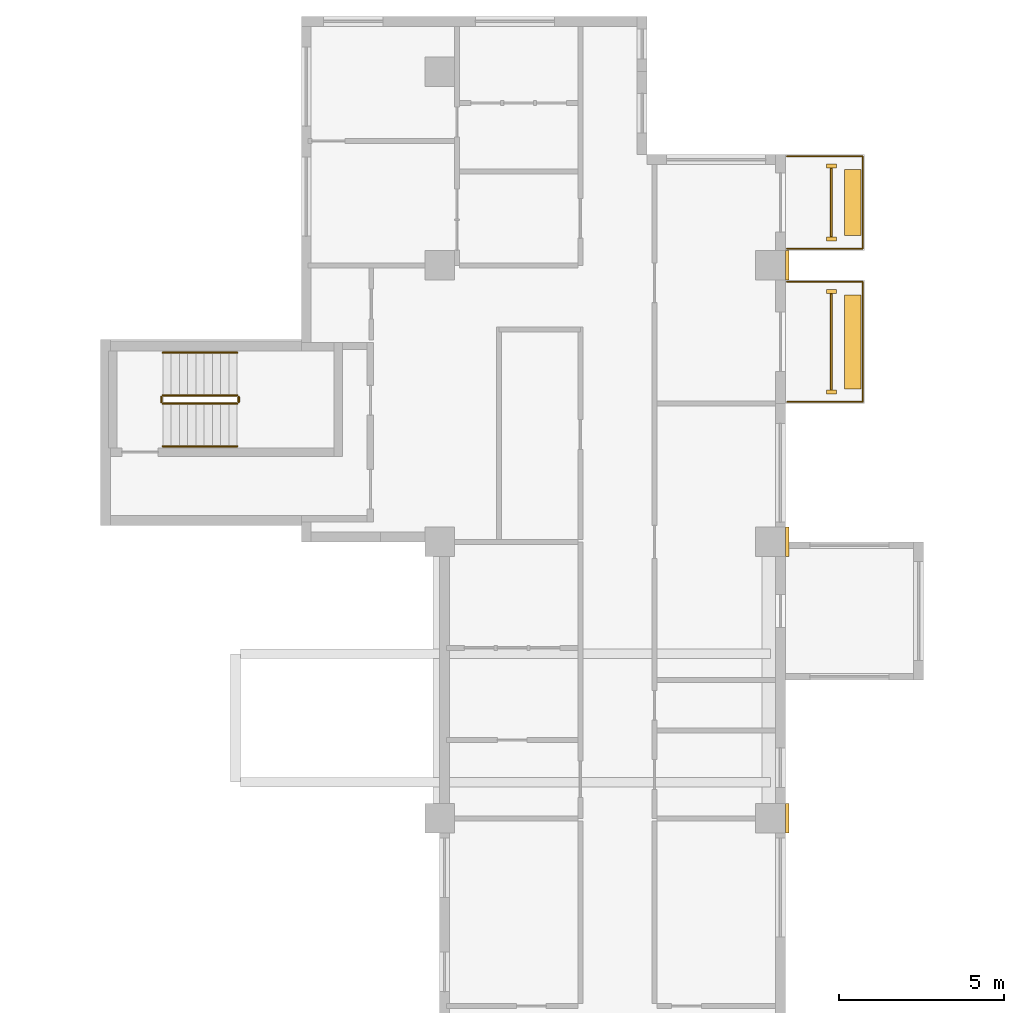
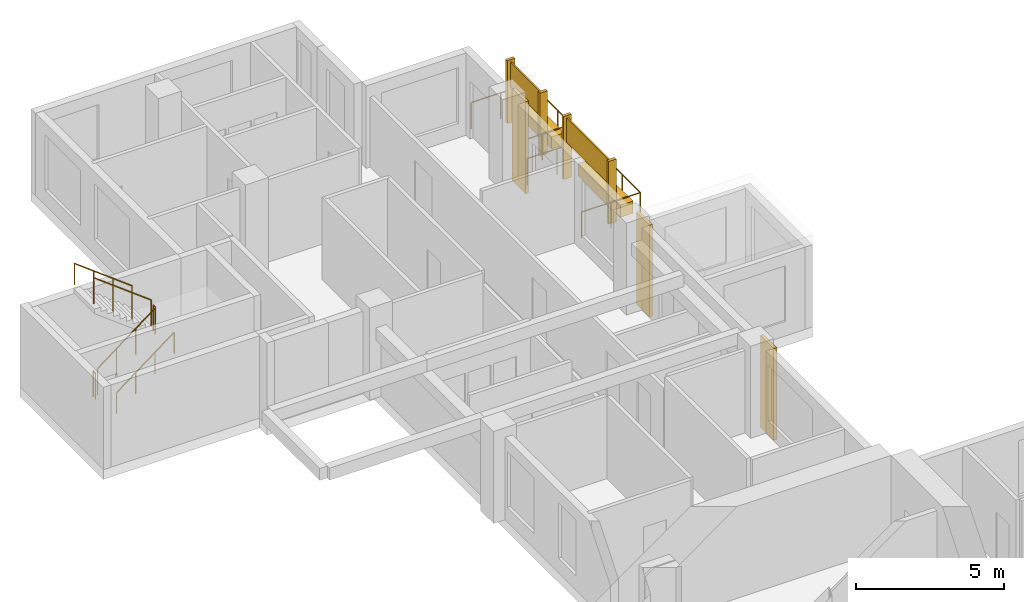
# One storey, part 13 of 13: 11 coverings, 8 railings.
"""IFC4 building model written with IfcOpenShell, lengths in metres."""

from ifc_helpers import new_model, si_unit, direction, frame, origin, origin_2d, place, context, subcontext, project, spatial, rectangle, circle, extrude, source, transform, mapped, material, type_object, element, save


model = new_model("IFC4")

# Units and contexts
model_context = context("Model", 3, precision=1e-05, world=origin(), true_north=direction((0.0, 1.0)))
body_context = subcontext(model_context, "Body", "Model", "MODEL_VIEW")
ifc_project = project(units=[si_unit("LENGTHUNIT", "METRE"), si_unit("AREAUNIT", "SQUARE_METRE"), si_unit("VOLUMEUNIT", "CUBIC_METRE"), si_unit("PLANEANGLEUNIT", "RADIAN"), si_unit("MASSUNIT", "GRAM", prefix="KILO")], contexts=[model_context])

# Site, building, storey
site_placement = place(None, origin())
site = spatial("IfcSite", under=ifc_project, at=site_placement, CompositionType="ELEMENT")
building_placement = place(site_placement, origin())
building = spatial("IfcBuilding", under=site, at=building_placement, Name="Aurelian Terraces", CompositionType="ELEMENT")
storey_placement = place(building_placement, frame((0.0, 0.0, 193.0)))
storey = spatial("IfcBuildingStorey", under=building, at=storey_placement, Name="L42", CompositionType="ELEMENT", Elevation=193.0)

# Coverings
ifc_material_1 = material(Name="Terracotta rainscreen cladding relief", Category="masonry")
covering_type_1 = type_object("IfcCoveringType", Name="FIN-TC", PredefinedType="CLADDING", material=ifc_material_1)
shared_shape_1 = source(origin(), body_context, "Body", "SweptSolid", [
    extrude(rectangle(XDim=0.3, YDim=0.12, at=origin_2d()), origin(), (0.0, 0.0, 1.0), 2.6),
])
for number, where, z_axis, x_axis, name in (
    (1, (22.4, 42.35, 0.0), (0.0, 0.0, 1.0), (1.0, 0.0, 0.0), "FIN L42 L42-F08-22.1"),
    (2, (22.4, 45.4, 0.0), (0.0, 0.0, 1.0), (1.0, 0.0, 0.0), "FIN L42 L42-F08-22.2"),
    (3, (22.4, 47.0, 0.0), (0.0, 0.0, 1.0), (1.0, 0.0, 0.0), "FIN L42 L42-F08-23.1"),
    (4, (22.4, 49.21, 0.0), (0.0, 0.0, 1.0), (1.0, 0.0, 0.0), "FIN L42 L42-F08-23.2"),
):
    element("IfcCovering", number, at=place(storey_placement, frame(where, z_axis=z_axis, x_axis=x_axis)), inside=storey, type_object=covering_type_1, Name=name, PredefinedType="CLADDING", context=body_context, shape_type="MappedRepresentation", body=[
        mapped(shared_shape_1, transform((0.0, 0.0, 0.0), scale=1.0)),
    ])
covering_type_2 = type_object("IfcCoveringType", Name="BAGUETTE-TC", PredefinedType="CLADDING", material=ifc_material_1)
shared_shape_2 = source(origin(), body_context, "Body", "SweptSolid", [
    extrude(rectangle(XDim=0.12, YDim=0.9, at=origin_2d()), origin(), (0.0, 0.0, 1.0), 3.8),
])
for number, where, z_axis, x_axis, name in (
    (5, (21.06, 29.4, -0.4), (0.0, 0.0, 1.0), (1.0, 0.0, 0.0), "BAGUETTE pier L42 7"),
    (6, (21.06, 37.8, -0.4), (0.0, 0.0, 1.0), (1.0, 0.0, 0.0), "BAGUETTE pier L42 8"),
    (7, (21.06, 46.2, -0.4), (0.0, 0.0, 1.0), (1.0, 0.0, 0.0), "BAGUETTE pier L42 9"),
):
    element("IfcCovering", number, at=place(storey_placement, frame(where, z_axis=z_axis, x_axis=x_axis)), inside=storey, type_object=covering_type_2, Name=name, PredefinedType="CLADDING", context=body_context, shape_type="MappedRepresentation", body=[
        mapped(shared_shape_2, transform((0.0, 0.0, 0.0), scale=1.0)),
    ])

# Railing
ifc_material_2 = material(Name="Anodised aluminium", Category="aluminium")
railing_type_1 = type_object("IfcRailingType", Name="GUARD-1100", PredefinedType="GUARDRAIL", material=ifc_material_2)
shared_shape_3 = source(origin(), body_context, "Body", "SweptSolid", [
    extrude(circle(Radius=0.024, at=origin_2d()), frame((0.0, 0.0, 1.076), z_axis=(1.0, 0.0, 0.0), x_axis=(0.0, 1.0, 0.0)), (0.0, 0.0, 1.0), 2.3),
    extrude(circle(Radius=0.024, at=origin_2d()), frame((2.3, 0.0, 1.076), z_axis=(0.0, 1.0, 0.0), x_axis=(-1.0, 0.0, 0.0)), (0.0, 0.0, 1.0), 3.65),
    extrude(circle(Radius=0.024, at=origin_2d()), frame((2.3, 3.65, 1.076), z_axis=(-1.0, 0.0, 0.0), x_axis=(0.0, -1.0, 0.0)), (0.0, 0.0, 1.0), 2.3),
    extrude(circle(Radius=0.021, at=origin_2d()), origin(), (0.0, 0.0, 1.0), 1.052),
    extrude(circle(Radius=0.021, at=origin_2d()), frame((1.15, 0.0, 0.0)), (0.0, 0.0, 1.0), 1.052),
    extrude(circle(Radius=0.021, at=origin_2d()), frame((2.3, 0.0, 0.0)), (0.0, 0.0, 1.0), 1.052),
    extrude(circle(Radius=0.021, at=origin_2d()), frame((2.3, 1.2167, 0.0)), (0.0, 0.0, 1.0), 1.052),
    extrude(circle(Radius=0.021, at=origin_2d()), frame((2.3, 2.4333, 0.0)), (0.0, 0.0, 1.0), 1.052),
    extrude(circle(Radius=0.021, at=origin_2d()), frame((2.3, 3.65, 0.0)), (0.0, 0.0, 1.0), 1.052),
    extrude(circle(Radius=0.021, at=origin_2d()), frame((1.15, 3.65, 0.0)), (0.0, 0.0, 1.0), 1.052),
    extrude(circle(Radius=0.021, at=origin_2d()), frame((0.0, 3.65, 0.0)), (0.0, 0.0, 1.0), 1.052),
])
railing_1_placement = place(storey_placement, frame((21.05, 42.05, 0.0)))
element("IfcRailing", 8, at=railing_1_placement, inside=storey, type_object=railing_type_1, Name="Balcony guard L42 F08.22", PredefinedType="GUARDRAIL", context=body_context, shape_type="MappedRepresentation", body=[
    mapped(shared_shape_3, transform((0.0, 0.0, 0.0), scale=1.0)),
])

# Coverings
ifc_material_3 = material(Name="Terracotta planter with planting soil", Category="masonry")
covering_type_3 = type_object("IfcCoveringType", Name="PLANTER-TROUGH", PredefinedType="USERDEFINED", material=ifc_material_3)
shared_shape_4 = source(origin(), body_context, "Body", "SweptSolid", [
    extrude(rectangle(XDim=0.5, YDim=2.85, at=origin_2d()), origin(), (0.0, 0.0, 1.0), 0.5),
])
covering_1_placement = place(storey_placement, frame((23.05, 43.875, 0.0), z_axis=(0.0, 0.0, 1.0), x_axis=(1.0, 0.0, 0.0)))
element("IfcCovering", 9, at=covering_1_placement, inside=storey, type_object=covering_type_3, Name="PLANTER L42 L42-F08-22", ObjectType="PLANTER", PredefinedType="USERDEFINED", context=body_context, shape_type="MappedRepresentation", body=[
    mapped(shared_shape_4, transform((0.0, 0.0, 0.0), scale=1.0)),
])
ifc_material_4 = material(Name="Terracotta rainscreen cladding", Category="masonry")
covering_type_4 = type_object("IfcCoveringType", Name="SCREEN-TC", PredefinedType="CLADDING", material=ifc_material_4)
shared_shape_5 = source(origin(), body_context, "Body", "SweptSolid", [
    extrude(rectangle(XDim=0.06, YDim=2.93, at=origin_2d()), origin(), (0.0, 0.0, 1.0), 1.0),
])
covering_2_placement = place(storey_placement, frame((22.4, 43.875, 1.5), z_axis=(0.0, 0.0, 1.0), x_axis=(1.0, 0.0, 0.0)))
element("IfcCovering", 10, at=covering_2_placement, inside=storey, type_object=covering_type_4, Name="SCREEN L42 L42-F08-22", PredefinedType="CLADDING", context=body_context, shape_type="MappedRepresentation", body=[
    mapped(shared_shape_5, transform((0.0, 0.0, 0.0), scale=1.0)),
])

# Railing
shared_shape_6 = source(origin(), body_context, "Body", "SweptSolid", [
    extrude(circle(Radius=0.024, at=origin_2d()), frame((0.0, 0.0, 1.076), z_axis=(1.0, 0.0, 0.0), x_axis=(0.0, 1.0, 0.0)), (0.0, 0.0, 1.0), 2.3),
    extrude(circle(Radius=0.024, at=origin_2d()), frame((2.3, 0.0, 1.076), z_axis=(0.0, 1.0, 0.0), x_axis=(-1.0, 0.0, 0.0)), (0.0, 0.0, 1.0), 2.81),
    extrude(circle(Radius=0.024, at=origin_2d()), frame((2.3, 2.81, 1.076), z_axis=(-1.0, 0.0, 0.0), x_axis=(0.0, -1.0, 0.0)), (0.0, 0.0, 1.0), 2.3),
    extrude(circle(Radius=0.021, at=origin_2d()), origin(), (0.0, 0.0, 1.0), 1.052),
    extrude(circle(Radius=0.021, at=origin_2d()), frame((1.15, 0.0, 0.0)), (0.0, 0.0, 1.0), 1.052),
    extrude(circle(Radius=0.021, at=origin_2d()), frame((2.3, 0.0, 0.0)), (0.0, 0.0, 1.0), 1.052),
    extrude(circle(Radius=0.021, at=origin_2d()), frame((2.3, 0.9367, 0.0)), (0.0, 0.0, 1.0), 1.052),
    extrude(circle(Radius=0.021, at=origin_2d()), frame((2.3, 1.8733, 0.0)), (0.0, 0.0, 1.0), 1.052),
    extrude(circle(Radius=0.021, at=origin_2d()), frame((2.3, 2.81, 0.0)), (0.0, 0.0, 1.0), 1.052),
    extrude(circle(Radius=0.021, at=origin_2d()), frame((1.15, 2.81, 0.0)), (0.0, 0.0, 1.0), 1.052),
    extrude(circle(Radius=0.021, at=origin_2d()), frame((0.0, 2.81, 0.0)), (0.0, 0.0, 1.0), 1.052),
])
railing_2_placement = place(storey_placement, frame((21.05, 46.7, 0.0)))
element("IfcRailing", 11, at=railing_2_placement, inside=storey, type_object=railing_type_1, Name="Balcony guard L42 F08.23", PredefinedType="GUARDRAIL", context=body_context, shape_type="MappedRepresentation", body=[
    mapped(shared_shape_6, transform((0.0, 0.0, 0.0), scale=1.0)),
])

# Coverings
shared_shape_7 = source(origin(), body_context, "Body", "SweptSolid", [
    extrude(rectangle(XDim=0.5, YDim=2.01, at=origin_2d()), origin(), (0.0, 0.0, 1.0), 0.5),
])
covering_3_placement = place(storey_placement, frame((23.05, 48.105, 0.0), z_axis=(0.0, 0.0, 1.0), x_axis=(1.0, 0.0, 0.0)))
element("IfcCovering", 12, at=covering_3_placement, inside=storey, type_object=covering_type_3, Name="PLANTER L42 L42-F08-23", ObjectType="PLANTER", PredefinedType="USERDEFINED", context=body_context, shape_type="MappedRepresentation", body=[
    mapped(shared_shape_7, transform((0.0, 0.0, 0.0), scale=1.0)),
])
shared_shape_8 = source(origin(), body_context, "Body", "SweptSolid", [
    extrude(rectangle(XDim=0.06, YDim=2.09, at=origin_2d()), origin(), (0.0, 0.0, 1.0), 1.0),
])
covering_4_placement = place(storey_placement, frame((22.4, 48.105, 1.5), z_axis=(0.0, 0.0, 1.0), x_axis=(1.0, 0.0, 0.0)))
element("IfcCovering", 13, at=covering_4_placement, inside=storey, type_object=covering_type_4, Name="SCREEN L42 L42-F08-23", PredefinedType="CLADDING", context=body_context, shape_type="MappedRepresentation", body=[
    mapped(shared_shape_8, transform((0.0, 0.0, 0.0), scale=1.0)),
])

# Railings
ifc_material_5 = material(Name="Stainless steel", Category="steel")
railing_type_2 = type_object("IfcRailingType", Name="Stair guard 1100", PredefinedType="GUARDRAIL", material=ifc_material_5)
shared_shape_9 = source(origin(), body_context, "Body", "SweptSolid", [
    extrude(circle(Radius=0.024, at=origin_2d()), frame((0.0, 0.0, 1.076), z_axis=(0.0, 1.0, 0.0), x_axis=(-1.0, 0.0, 0.0)), (0.0, 0.0, 1.0), 0.15),
    extrude(circle(Radius=0.021, at=origin_2d()), origin(), (0.0, 0.0, 1.0), 1.052),
    extrude(circle(Radius=0.021, at=origin_2d()), frame((0.0, 0.15, 0.0)), (0.0, 0.0, 1.0), 1.052),
])
for number, where, name in (
    (14, (4.4, 42.05, 1.9), "L42 S3 stair guard 2"),
    (15, (2.05, 42.05, 0.0), "L42 S3 stair guard 4"),
):
    element("IfcRailing", number, at=place(storey_placement, frame(where)), inside=storey, type_object=railing_type_2, Name=name, PredefinedType="GUARDRAIL", context=body_context, shape_type="MappedRepresentation", body=[
        mapped(shared_shape_9, transform((0.0, 0.0, 0.0), scale=1.0)),
    ])
shared_shape_10 = source(origin(), body_context, "Body", "SweptSolid", [
    extrude(circle(Radius=0.024, at=origin_2d()), frame((0.0, 0.0, 1.076), z_axis=(0.796162194123, 0.0, 0.605083267534), x_axis=(0.0, 1.0, 0.0)), (0.0, 0.0, 1.0), 2.8261),
    extrude(circle(Radius=0.021, at=origin_2d()), origin(), (0.0, 0.0, 1.0), 1.052),
    extrude(circle(Radius=0.021, at=origin_2d()), frame((0.75, 0.0, 0.57)), (0.0, 0.0, 1.0), 1.052),
    extrude(circle(Radius=0.021, at=origin_2d()), frame((1.5, 0.0, 1.14)), (0.0, 0.0, 1.0), 1.052),
    extrude(circle(Radius=0.021, at=origin_2d()), frame((2.25, 0.0, 1.71)), (0.0, 0.0, 1.0), 1.052),
])
railing_3_placement = place(storey_placement, frame((2.1, 42.0, 0.19)))
element("IfcRailing", 16, at=railing_3_placement, inside=storey, type_object=railing_type_2, Name="L42 S3 stair guard 1", PredefinedType="GUARDRAIL", context=body_context, shape_type="MappedRepresentation", body=[
    mapped(shared_shape_10, transform((0.0, 0.0, 0.0), scale=1.0)),
])
shared_shape_11 = source(origin(), body_context, "Body", "SweptSolid", [
    extrude(circle(Radius=0.024, at=origin_2d()), frame((0.0, 0.0, 1.076), z_axis=(-0.796162194123, 0.0, 0.605083267534), x_axis=(0.0, -1.0, 0.0)), (0.0, 0.0, 1.0), 2.8261),
    extrude(circle(Radius=0.021, at=origin_2d()), origin(), (0.0, 0.0, 1.0), 1.052),
    extrude(circle(Radius=0.021, at=origin_2d()), frame((-0.75, 0.0, 0.57)), (0.0, 0.0, 1.0), 1.052),
    extrude(circle(Radius=0.021, at=origin_2d()), frame((-1.5, 0.0, 1.14)), (0.0, 0.0, 1.0), 1.052),
    extrude(circle(Radius=0.021, at=origin_2d()), frame((-2.25, 0.0, 1.71)), (0.0, 0.0, 1.0), 1.052),
])
railing_4_placement = place(storey_placement, frame((4.35, 42.25, 2.09)))
element("IfcRailing", 17, at=railing_4_placement, inside=storey, type_object=railing_type_2, Name="L42 S3 stair guard 3", PredefinedType="GUARDRAIL", context=body_context, shape_type="MappedRepresentation", body=[
    mapped(shared_shape_11, transform((0.0, 0.0, 0.0), scale=1.0)),
])
railing_type_3 = type_object("IfcRailingType", Name="Stair handrail", PredefinedType="HANDRAIL", material=ifc_material_5)
shared_shape_12 = source(origin(), body_context, "Body", "SweptSolid", [
    extrude(circle(Radius=0.024, at=origin_2d()), frame((0.0, 0.0, 0.876), z_axis=(0.796162194123, 0.0, 0.605083267534), x_axis=(0.0, 1.0, 0.0)), (0.0, 0.0, 1.0), 2.8261),
    extrude(circle(Radius=0.021, at=origin_2d()), origin(), (0.0, 0.0, 1.0), 0.852),
    extrude(circle(Radius=0.021, at=origin_2d()), frame((0.75, 0.0, 0.57)), (0.0, 0.0, 1.0), 0.852),
    extrude(circle(Radius=0.021, at=origin_2d()), frame((1.5, 0.0, 1.14)), (0.0, 0.0, 1.0), 0.852),
    extrude(circle(Radius=0.021, at=origin_2d()), frame((2.25, 0.0, 1.71)), (0.0, 0.0, 1.0), 0.852),
])
railing_5_placement = place(storey_placement, frame((2.1, 40.7, 0.19)))
element("IfcRailing", 18, at=railing_5_placement, inside=storey, type_object=railing_type_3, Name="L42 S3 stair handrail 1", PredefinedType="HANDRAIL", context=body_context, shape_type="MappedRepresentation", body=[
    mapped(shared_shape_12, transform((0.0, 0.0, 0.0), scale=1.0)),
])
shared_shape_13 = source(origin(), body_context, "Body", "SweptSolid", [
    extrude(circle(Radius=0.024, at=origin_2d()), frame((0.0, 0.0, 0.876), z_axis=(-0.796162194123, 0.0, 0.605083267534), x_axis=(0.0, -1.0, 0.0)), (0.0, 0.0, 1.0), 2.8261),
    extrude(circle(Radius=0.021, at=origin_2d()), origin(), (0.0, 0.0, 1.0), 0.852),
    extrude(circle(Radius=0.021, at=origin_2d()), frame((-0.75, 0.0, 0.57)), (0.0, 0.0, 1.0), 0.852),
    extrude(circle(Radius=0.021, at=origin_2d()), frame((-1.5, 0.0, 1.14)), (0.0, 0.0, 1.0), 0.852),
    extrude(circle(Radius=0.021, at=origin_2d()), frame((-2.25, 0.0, 1.71)), (0.0, 0.0, 1.0), 0.852),
])
railing_6_placement = place(storey_placement, frame((4.35, 43.55, 2.09)))
element("IfcRailing", 19, at=railing_6_placement, inside=storey, type_object=railing_type_3, Name="L42 S3 stair handrail 2", PredefinedType="HANDRAIL", context=body_context, shape_type="MappedRepresentation", body=[
    mapped(shared_shape_13, transform((0.0, 0.0, 0.0), scale=1.0)),
])

save(model, "model.ifc")
